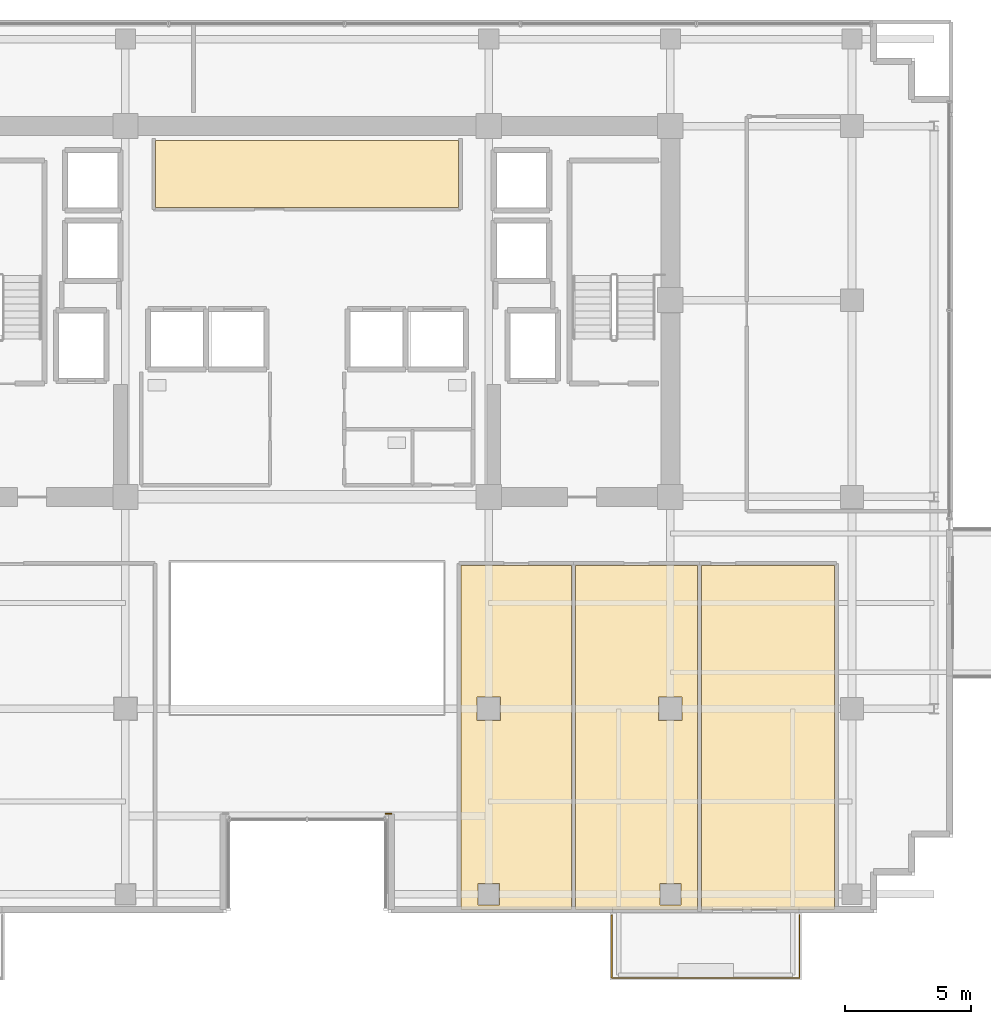
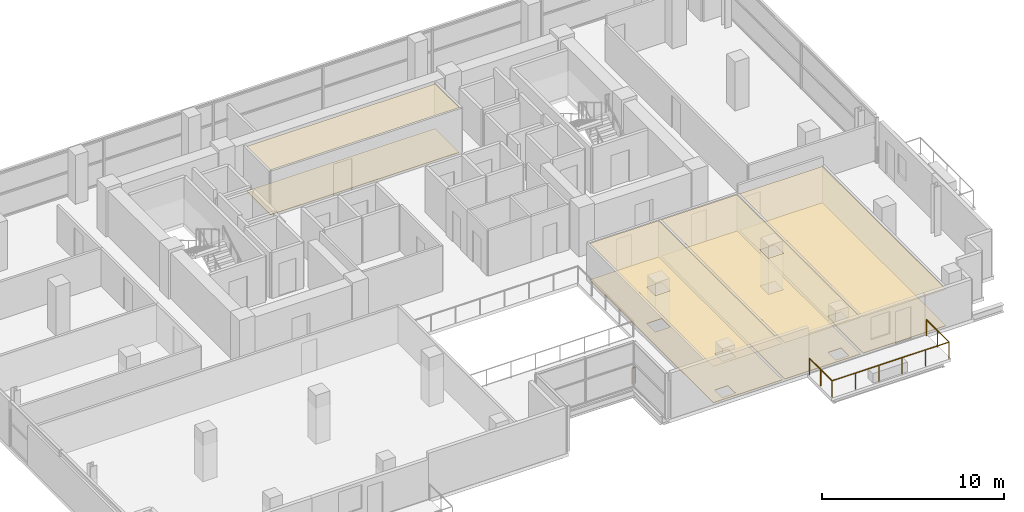
# One storey, part 25 of 27: 8 coverings, 2 railings.
"""IFC4 building model written with IfcOpenShell, lengths in metres."""

from ifc_helpers import new_model, si_unit, direction, frame, origin, origin_2d, place, context, subcontext, project, spatial, polyline, rectangle, outline, extrude, material, layer, layer_set, type_object, element, save


model = new_model("IFC4")

# Units and contexts
model_context = context("Model", 3, precision=1e-05, world=origin(), true_north=direction((0.0, 1.0)))
body_context = subcontext(model_context, "Body", "Model", "MODEL_VIEW")
ifc_project = project(units=[si_unit("LENGTHUNIT", "METRE"), si_unit("AREAUNIT", "SQUARE_METRE"), si_unit("VOLUMEUNIT", "CUBIC_METRE"), si_unit("PLANEANGLEUNIT", "RADIAN"), si_unit("MASSUNIT", "GRAM", prefix="KILO")], contexts=[model_context])

# Site, building, storey
site_placement = place(None, origin())
site = spatial("IfcSite", under=ifc_project, at=site_placement, CompositionType="ELEMENT")
building_placement = place(site_placement, origin())
building = spatial("IfcBuilding", under=site, at=building_placement, Name="Zarnakvel Exchange Tower", CompositionType="ELEMENT")
storey_placement = place(building_placement, frame((0.0, 0.0, 106.60009765625)))
storey = spatial("IfcBuildingStorey", under=building, at=storey_placement, Name="L29", CompositionType="ELEMENT", Elevation=106.60009765625)

# Coverings
ifc_material_1 = material(Name="Perforated Bronze Acoustic Metal Ceiling", Category="aluminium")
ifc_layer_1 = layer(ifc_material_1, 0.02001953125)
ifc_layer_set_1 = layer_set([ifc_layer_1], Name="Perforated Bronze Acoustic Metal Ceiling")
covering_type_1 = type_object("IfcCoveringType", Name="CLG-01", PredefinedType="CEILING", material=ifc_layer_set_1)
covering_1_placement = place(storey_placement, frame((0.0, 0.0, 3.014892578125)))
element("IfcCovering", 1, at=covering_1_placement, inside=storey, type_object=covering_type_1, Name="L29 Suspended Acoustic Ceiling (Market Data Archive Suite)", PredefinedType="CEILING", context=body_context, shape_type="SweptSolid", body=[
    extrude(outline(polyline([(-6.0, 12.919921875), (6.0, 12.919921875), (6.0, 10.280029296875), (-6.0, 10.280029296875), (-6.0, 12.919921875)])), origin(), (0.0, 0.0, 1.0), 0.02001953125),
])
covering_2_placement = place(storey_placement, frame((0.0, 0.0, 2.454833984375)))
element("IfcCovering", 2, at=covering_2_placement, inside=storey, type_object=covering_type_1, Name="L29 Suspended Acoustic Ceiling (Conference Room)", PredefinedType="CEILING", context=body_context, shape_type="SweptSolid", body=[
    extrude(outline(polyline([(6.10009765625, -3.909912109375), (10.48828125, -3.909912109375), (10.48828125, -17.550048828125), (6.10009765625, -17.550048828125), (6.10009765625, -3.909912109375)]), holes=[polyline([(6.72998046875, -10.070068359375), (7.669921875, -10.070068359375), (7.669921875, -9.1298828125), (6.72998046875, -9.1298828125), (6.72998046875, -10.070068359375)]), polyline([(7.6201171875, -17.3701171875), (7.6201171875, -16.530029296875), (6.780029296875, -16.530029296875), (6.780029296875, -17.3701171875), (7.6201171875, -17.3701171875)])]), origin(), (0.0, 0.0, 1.0), 0.02001953125),
])
covering_3_placement = place(storey_placement, frame((0.0, 0.0, 2.454833984375)))
element("IfcCovering", 3, at=covering_3_placement, inside=storey, type_object=covering_type_1, Name="L29 Suspended Acoustic Ceiling (Executive Suite)", PredefinedType="CEILING", context=body_context, shape_type="SweptSolid", body=[
    extrude(outline(polyline([(10.6484375, -3.909912109375), (15.4755859375, -3.909912109375), (15.4755859375, -17.550048828125), (10.6484375, -17.550048828125), (10.6484375, -3.909912109375)]), holes=[polyline([(13.929931640625, -10.070068359375), (14.8701171875, -10.070068359375), (14.8701171875, -9.1298828125), (13.929931640625, -9.1298828125), (13.929931640625, -10.070068359375)]), polyline([(14.820068359375, -17.3701171875), (14.820068359375, -16.530029296875), (13.97998046875, -16.530029296875), (13.97998046875, -17.3701171875), (14.820068359375, -17.3701171875)])]), origin(), (0.0, 0.0, 1.0), 0.02001953125),
])
covering_4_placement = place(storey_placement, frame((0.0, 0.0, 2.454833984375)))
element("IfcCovering", 4, at=covering_4_placement, inside=storey, type_object=covering_type_1, Name="L29 Suspended Acoustic Ceiling (Staff Pantry)", PredefinedType="CEILING", context=body_context, shape_type="SweptSolid", body=[
    extrude(outline(polyline([(15.635498046875, -3.909912109375), (20.901611328125, -3.909912109375), (20.901611328125, -17.550048828125), (15.635498046875, -17.550048828125), (15.635498046875, -3.909912109375)])), origin(), (0.0, 0.0, 1.0), 0.02001953125),
])
ifc_material_2 = material(Name="Heavy-Duty Raised Access Floor Panel", Category="steel")
ifc_layer_2 = layer(ifc_material_2, 0.034912109375)
ifc_layer_set_2 = layer_set([ifc_layer_2], Name="Heavy-Duty Raised Access Floor Panel")
covering_type_2 = type_object("IfcCoveringType", Name="FLR-02", PredefinedType="FLOORING", material=ifc_layer_set_2)
covering_5_placement = place(storey_placement, origin())
element("IfcCovering", 5, at=covering_5_placement, inside=storey, type_object=covering_type_2, Name="L29 Floor Finish (Market Data Archive Suite)", PredefinedType="FLOORING", context=body_context, shape_type="SweptSolid", body=[
    extrude(outline(polyline([(-6.0, 12.919921875), (6.0, 12.919921875), (6.0, 10.280029296875), (-6.0, 10.280029296875), (-6.0, 12.919921875)])), origin(), (0.0, 0.0, 1.0), 0.034912109375),
])
covering_6_placement = place(storey_placement, origin())
element("IfcCovering", 6, at=covering_6_placement, inside=storey, type_object=covering_type_2, Name="L29 Floor Finish (Conference Room)", PredefinedType="FLOORING", context=body_context, shape_type="SweptSolid", body=[
    extrude(outline(polyline([(6.10009765625, -3.909912109375), (10.48828125, -3.909912109375), (10.48828125, -17.550048828125), (6.10009765625, -17.550048828125), (6.10009765625, -3.909912109375)]), holes=[polyline([(6.72998046875, -10.070068359375), (7.669921875, -10.070068359375), (7.669921875, -9.1298828125), (6.72998046875, -9.1298828125), (6.72998046875, -10.070068359375)]), polyline([(7.6201171875, -17.3701171875), (7.6201171875, -16.530029296875), (6.780029296875, -16.530029296875), (6.780029296875, -17.3701171875), (7.6201171875, -17.3701171875)])]), origin(), (0.0, 0.0, 1.0), 0.034912109375),
])
covering_7_placement = place(storey_placement, origin())
element("IfcCovering", 7, at=covering_7_placement, inside=storey, type_object=covering_type_2, Name="L29 Floor Finish (Executive Suite)", PredefinedType="FLOORING", context=body_context, shape_type="SweptSolid", body=[
    extrude(outline(polyline([(10.6484375, -3.909912109375), (15.4755859375, -3.909912109375), (15.4755859375, -17.550048828125), (10.6484375, -17.550048828125), (10.6484375, -3.909912109375)]), holes=[polyline([(13.929931640625, -10.070068359375), (14.8701171875, -10.070068359375), (14.8701171875, -9.1298828125), (13.929931640625, -9.1298828125), (13.929931640625, -10.070068359375)]), polyline([(14.820068359375, -17.3701171875), (14.820068359375, -16.530029296875), (13.97998046875, -16.530029296875), (13.97998046875, -17.3701171875), (14.820068359375, -17.3701171875)])]), origin(), (0.0, 0.0, 1.0), 0.034912109375),
])
covering_8_placement = place(storey_placement, origin())
element("IfcCovering", 8, at=covering_8_placement, inside=storey, type_object=covering_type_2, Name="L29 Floor Finish (Staff Pantry)", PredefinedType="FLOORING", context=body_context, shape_type="SweptSolid", body=[
    extrude(outline(polyline([(15.635498046875, -3.909912109375), (20.901611328125, -3.909912109375), (20.901611328125, -17.550048828125), (15.635498046875, -17.550048828125), (15.635498046875, -3.909912109375)])), origin(), (0.0, 0.0, 1.0), 0.034912109375),
])

# Railings
ifc_material_3 = material(Name="Architectural Bronze Anodised Aluminium", Category="aluminium")
railing_type = type_object("IfcRailingType", Name="GR-02", PredefinedType="GUARDRAIL", material=ifc_material_3)
railing_1_placement = place(storey_placement, frame((12.080078125, -17.780029296875, -0.03515625)))
element("IfcRailing", 9, at=railing_1_placement, inside=storey, type_object=railing_type, Name="L29 Balcony Guardrail BAL-L29-SE", PredefinedType="GUARDRAIL", context=body_context, shape_type="SweptSolid", body=[
    extrude(rectangle(XDim=0.048095703125, YDim=0.048095703125, at=origin_2d()), frame((0.0, 0.0, 1.09619140625), z_axis=(0.0, -1.0, 0.0), x_axis=(1.0, 0.0, 0.0)), (0.0, 0.0, 1.0), 2.489990234375),
    extrude(rectangle(XDim=0.048095703125, YDim=0.048095703125, at=origin_2d()), frame((0.0, -2.489990234375, 1.09619140625), z_axis=(1.0, 0.0, 0.0), x_axis=(0.0, 1.0, 0.0)), (0.0, 0.0, 1.0), 7.43994140625),
    extrude(rectangle(XDim=0.048095703125, YDim=0.048095703125, at=origin_2d()), frame((7.43994140625, -2.489990234375, 1.09619140625), z_axis=(0.0, 1.0, 0.0), x_axis=(-1.0, 0.0, 0.0)), (0.0, 0.0, 1.0), 2.489990234375),
    extrude(rectangle(XDim=0.0419921875, YDim=0.0419921875, at=origin_2d()), origin(), (0.0, 0.0, 1.0), 1.072021484375),
    extrude(rectangle(XDim=0.0419921875, YDim=0.0419921875, at=origin_2d()), frame((0.0, -1.2451171875, 0.0)), (0.0, 0.0, 1.0), 1.072021484375),
    extrude(rectangle(XDim=0.0419921875, YDim=0.0419921875, at=origin_2d()), frame((0.0, -2.489990234375, 0.0)), (0.0, 0.0, 1.0), 1.072021484375),
    extrude(rectangle(XDim=0.0419921875, YDim=0.0419921875, at=origin_2d()), frame((1.488037109375, -2.489990234375, 0.0)), (0.0, 0.0, 1.0), 1.072021484375),
    extrude(rectangle(XDim=0.0419921875, YDim=0.0419921875, at=origin_2d()), frame((2.97607421875, -2.489990234375, 0.0)), (0.0, 0.0, 1.0), 1.072021484375),
    extrude(rectangle(XDim=0.0419921875, YDim=0.0419921875, at=origin_2d()), frame((4.4638671875, -2.489990234375, 0.0)), (0.0, 0.0, 1.0), 1.072021484375),
    extrude(rectangle(XDim=0.0419921875, YDim=0.0419921875, at=origin_2d()), frame((5.951904296875, -2.489990234375, 0.0)), (0.0, 0.0, 1.0), 1.072021484375),
    extrude(rectangle(XDim=0.0419921875, YDim=0.0419921875, at=origin_2d()), frame((7.43994140625, -2.489990234375, 0.0)), (0.0, 0.0, 1.0), 1.072021484375),
    extrude(rectangle(XDim=0.0419921875, YDim=0.0419921875, at=origin_2d()), frame((7.43994140625, -1.2451171875, 0.0)), (0.0, 0.0, 1.0), 1.072021484375),
    extrude(rectangle(XDim=0.0419921875, YDim=0.0419921875, at=origin_2d()), frame((7.43994140625, 0.0, 0.0)), (0.0, 0.0, 1.0), 1.072021484375),
])
railing_2_placement = place(storey_placement, frame((3.340087890625, -13.760009765625, 0.0)))
element("IfcRailing", 10, at=railing_2_placement, inside=storey, type_object=railing_type, Name="L29 Corner Spandrel Balustrade #18", PredefinedType="GUARDRAIL", context=body_context, shape_type="SweptSolid", body=[
    extrude(rectangle(XDim=0.048095703125, YDim=0.048095703125, at=origin_2d()), frame((0.0, 0.0, 1.09619140625), z_axis=(-1.0, 0.0, 0.0), x_axis=(0.0, -1.0, 0.0)), (0.0, 0.0, 1.0), 0.219970703125),
    extrude(rectangle(XDim=0.0419921875, YDim=0.0419921875, at=origin_2d()), origin(), (0.0, 0.0, 1.0), 1.072021484375),
    extrude(rectangle(XDim=0.0419921875, YDim=0.0419921875, at=origin_2d()), frame((-0.219970703125, 0.0, 0.0)), (0.0, 0.0, 1.0), 1.072021484375),
])

save(model, "model.ifc")
